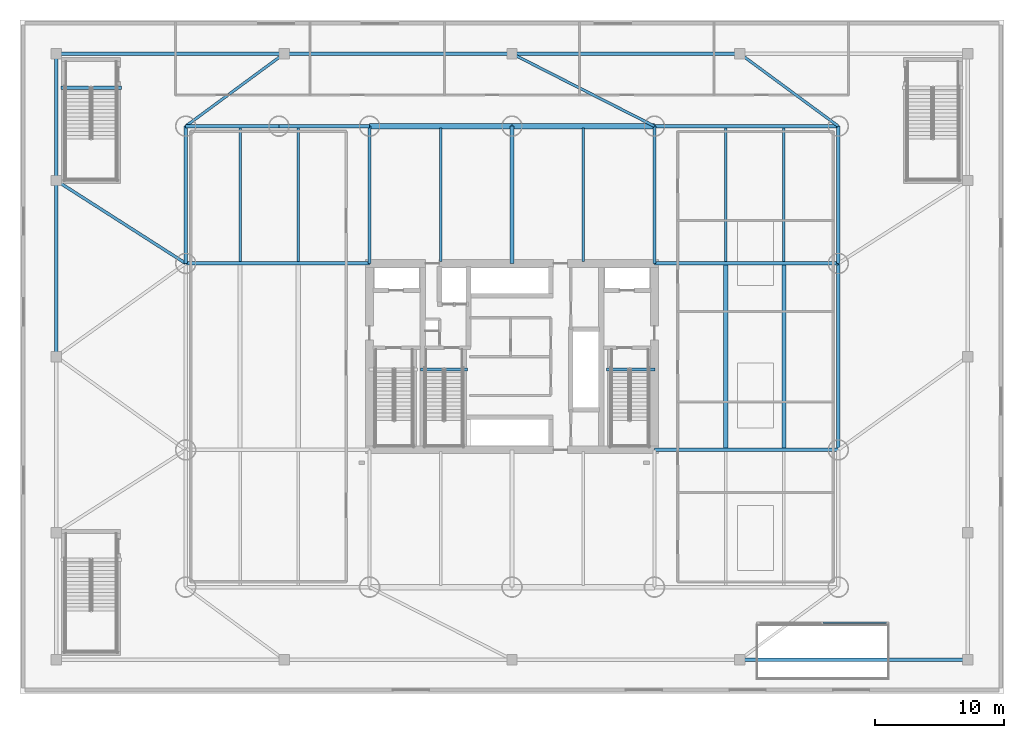
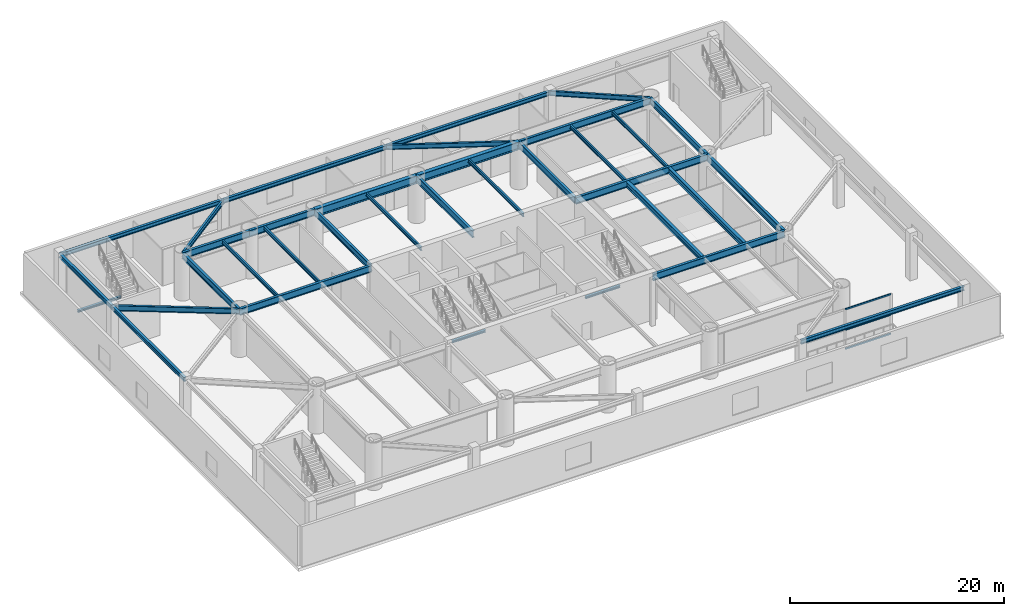
# One storey, part 3 of 16: 35 beams, 3 members, 1 element without a shape of its own.
"""IFC4 building model written with IfcOpenShell, lengths in metres."""

from ifc_helpers import new_model, si_unit, direction, frame, origin, origin_2d, place, context, subcontext, project, spatial, hollow_rectangle, i_section, extrude, material, layer, layer_set, material_profile, profile_set, type_object, element, aggregate, save


model = new_model("IFC4")

# Units and contexts
model_context = context("Model", 3, precision=1e-05, world=origin(), true_north=direction((0.0, 1.0)))
body_context = subcontext(model_context, "Body", "Model", "MODEL_VIEW")
ifc_project = project(units=[si_unit("LENGTHUNIT", "METRE"), si_unit("AREAUNIT", "SQUARE_METRE"), si_unit("VOLUMEUNIT", "CUBIC_METRE"), si_unit("PLANEANGLEUNIT", "RADIAN"), si_unit("MASSUNIT", "GRAM", prefix="KILO")], contexts=[model_context])

# Site, building, storey
site_placement = place(None, origin())
site = spatial("IfcSite", under=ifc_project, at=site_placement, CompositionType="ELEMENT")
building_placement = place(site_placement, origin())
building = spatial("IfcBuilding", under=site, at=building_placement, Name="Bramvorn Convention Spire", CompositionType="ELEMENT")
storey_placement = place(building_placement, frame((0.0, 0.0, 18.60009765625)))
storey = spatial("IfcBuildingStorey", under=building, at=storey_placement, Name="L03", CompositionType="ELEMENT", Elevation=18.60009765625)

# Beams
ifc_material_1 = material(Name="Steel CSA G40.21 Grade 350 (350W)", Category="steel")
ifc_material_profile_1 = material_profile(ifc_material_1, i_section(OverallWidth=0.25390625, OverallDepth=0.2529296875, WebThickness=0.008544921875, FlangeThickness=0.01416015625, FilletRadius=0.011962890625, at=origin_2d()))
ifc_profile_set_1 = profile_set([ifc_material_profile_1], Name="Steel CSA G40.21 Grade 350 (350W) - W250X73")
beam_type_1 = type_object("IfcBeamType", Name="BM-W250X73", PredefinedType="BEAM", material=ifc_profile_set_1)
beam_1_placement = place(storey_placement, frame((45.31005859375, 25.010009765625, -0.126708984375), z_axis=(1.0, 0.0, 0.0), x_axis=(0.0, 1.0, 0.0)))
element("IfcBeam", 1, at=beam_1_placement, inside=storey, type_object=beam_type_1, Name="L03 ST2 stair arrival header beam", PredefinedType="BEAM", context=body_context, shape_type="SweptSolid", body=[
    extrude(i_section(OverallWidth=0.25390625, OverallDepth=0.2529296875, WebThickness=0.008544921875, FlangeThickness=0.01416015625, FilletRadius=0.011962890625, at=origin_2d()), origin(), (0.0, 0.0, 1.0), 3.739990234375),
])
beam_2_placement = place(storey_placement, frame((30.949951171875, 25.010009765625, -0.126708984375), z_axis=(1.0, 0.0, 0.0), x_axis=(0.0, 1.0, 0.0)))
element("IfcBeam", 2, at=beam_2_placement, inside=storey, type_object=beam_type_1, Name="L03 ST3 stair arrival header beam", PredefinedType="BEAM", context=body_context, shape_type="SweptSolid", body=[
    extrude(i_section(OverallWidth=0.25390625, OverallDepth=0.2529296875, WebThickness=0.008544921875, FlangeThickness=0.01416015625, FilletRadius=0.011962890625, at=origin_2d()), origin(), (0.0, 0.0, 1.0), 3.610107421875),
])
beam_3_placement = place(storey_placement, frame((3.14990234375, 46.760009765625, -0.126708984375), z_axis=(1.0, 0.0, 0.0), x_axis=(0.0, 1.0, 0.0)))
element("IfcBeam", 3, at=beam_3_placement, inside=storey, type_object=beam_type_1, Name="L03 ST6 stair arrival header beam", PredefinedType="BEAM", context=body_context, shape_type="SweptSolid", body=[
    extrude(i_section(OverallWidth=0.25390625, OverallDepth=0.2529296875, WebThickness=0.008544921875, FlangeThickness=0.01416015625, FilletRadius=0.011962890625, at=origin_2d()), origin(), (0.0, 0.0, 1.0), 4.68017578125),
])
ifc_material_profile_2 = material_profile(ifc_material_1, i_section(OverallWidth=0.180908203125, OverallDepth=0.4169921875, WebThickness=0.010986328125, FlangeThickness=0.018310546875, FilletRadius=0.01611328125, at=origin_2d()))
ifc_profile_set_2 = profile_set([ifc_material_profile_2], Name="Steel CSA G40.21 Grade 350 (350W) - W410X85")
beam_type_2 = type_object("IfcBeamType", Name="BM-W410X85", PredefinedType="JOIST", material=ifc_profile_set_2)
for number, where, z_axis, x_axis, name in (
    (4, (17.0, 33.340087890625, 4.84130859375), (0.0, 1.0, 0.0), (-1.0, 0.0, 0.0), "L03 side hall joist N-1"),
    (5, (21.5, 33.340087890625, 4.84130859375), (0.0, 1.0, 0.0), (-1.0, 0.0, 0.0), "L03 side hall joist N-2"),
    (6, (32.5, 33.340087890625, 4.84130859375), (0.0, 1.0, 0.0), (-1.0, 0.0, 0.0), "L03 north hall composite joist 3"),
    (7, (43.5, 33.340087890625, 4.84130859375), (0.0, 1.0, 0.0), (-1.0, 0.0, 0.0), "L03 north hall composite joist 4"),
    (8, (54.5, 33.340087890625, 4.84130859375), (0.0, 1.0, 0.0), (-1.0, 0.0, 0.0), "L03 side hall joist N-5"),
    (9, (59.0, 33.340087890625, 4.84130859375), (0.0, 1.0, 0.0), (-1.0, 0.0, 0.0), "L03 side hall joist N-6"),
):
    element("IfcBeam", number, at=place(storey_placement, frame(where, z_axis=z_axis, x_axis=x_axis)), inside=storey, type_object=beam_type_2, Name=name, PredefinedType="JOIST", context=body_context, shape_type="SweptSolid", body=[
        extrude(i_section(OverallWidth=0.180908203125, OverallDepth=0.4169921875, WebThickness=0.010986328125, FlangeThickness=0.018310546875, FilletRadius=0.01611328125, at=origin_2d()), origin(), (0.0, 0.0, 1.0), 10.31982421875),
    ])
ifc_material_profile_3 = material_profile(ifc_material_1, i_section(OverallWidth=0.283935546875, OverallDepth=0.47607421875, WebThickness=0.014892578125, FlangeThickness=0.02392578125, FilletRadius=0.01806640625, at=origin_2d()))
ifc_profile_set_3 = profile_set([ifc_material_profile_3], Name="Steel CSA G40.21 Grade 350 (350W) - W460X158")
beam_type_3 = type_object("IfcBeamType", Name="BM-W460X158", PredefinedType="SPANDREL", material=ifc_profile_set_3)
beam_4_placement = place(storey_placement, frame((55.60009765625, 2.60009765625, 4.81201171875), z_axis=(1.0, 0.0, 0.0), x_axis=(0.0, 1.0, 0.0)))
element("IfcBeam", 10, at=beam_4_placement, inside=storey, type_object=beam_type_3, Name="L03 podium spandrel beam 04", PredefinedType="SPANDREL", context=body_context, shape_type="SweptSolid", body=[
    extrude(i_section(OverallWidth=0.283935546875, OverallDepth=0.47607421875, WebThickness=0.014892578125, FlangeThickness=0.02392578125, FilletRadius=0.01806640625, at=origin_2d()), origin(), (0.0, 0.0, 1.0), 17.599853515625),
])
for number, where, z_axis, x_axis, name in (
    (11, (55.60009765625, 49.39990234375, 4.81201171875), (-1.0, 0.0, 0.0), (0.0, -1.0, 0.0), "L03 podium spandrel beam 10"),
    (12, (38.0, 49.39990234375, 4.81201171875), (-1.0, 0.0, 0.0), (0.0, -1.0, 0.0), "L03 podium spandrel beam 11"),
):
    element("IfcBeam", number, at=place(storey_placement, frame(where, z_axis=z_axis, x_axis=x_axis)), inside=storey, type_object=beam_type_3, Name=name, PredefinedType="SPANDREL", context=body_context, shape_type="SweptSolid", body=[
        extrude(i_section(OverallWidth=0.283935546875, OverallDepth=0.47607421875, WebThickness=0.014892578125, FlangeThickness=0.02392578125, FilletRadius=0.01806640625, at=origin_2d()), origin(), (0.0, 0.0, 1.0), 17.60009765625),
    ])
beam_5_placement = place(storey_placement, frame((20.39990234375, 49.39990234375, 4.81201171875), z_axis=(-1.0, 0.0, 0.0), x_axis=(0.0, -1.0, 0.0)))
element("IfcBeam", 13, at=beam_5_placement, inside=storey, type_object=beam_type_3, Name="L03 podium spandrel beam 12", PredefinedType="SPANDREL", context=body_context, shape_type="SweptSolid", body=[
    extrude(i_section(OverallWidth=0.283935546875, OverallDepth=0.47607421875, WebThickness=0.014892578125, FlangeThickness=0.02392578125, FilletRadius=0.01806640625, at=origin_2d()), origin(), (0.0, 0.0, 1.0), 17.599853515625),
])
beam_6_placement = place(storey_placement, frame((2.800048828125, 49.39990234375, 4.81201171875), z_axis=(0.0, -1.0, 0.0), x_axis=(1.0, 0.0, 0.0)))
element("IfcBeam", 14, at=beam_6_placement, inside=storey, type_object=beam_type_3, Name="L03 podium spandrel beam 13", PredefinedType="SPANDREL", context=body_context, shape_type="SweptSolid", body=[
    extrude(i_section(OverallWidth=0.283935546875, OverallDepth=0.47607421875, WebThickness=0.014892578125, FlangeThickness=0.02392578125, FilletRadius=0.01806640625, at=origin_2d()), origin(), (0.0, 0.0, 1.0), 9.7998046875),
])
beam_7_placement = place(storey_placement, frame((2.800048828125, 39.60009765625, 4.81201171875), z_axis=(0.0, -1.0, 0.0), x_axis=(1.0, 0.0, 0.0)))
element("IfcBeam", 15, at=beam_7_placement, inside=storey, type_object=beam_type_3, Name="L03 podium spandrel beam 14", PredefinedType="SPANDREL", context=body_context, shape_type="SweptSolid", body=[
    extrude(i_section(OverallWidth=0.283935546875, OverallDepth=0.47607421875, WebThickness=0.014892578125, FlangeThickness=0.02392578125, FilletRadius=0.01806640625, at=origin_2d()), origin(), (0.0, 0.0, 1.0), 13.60009765625),
])
ifc_material_profile_4 = material_profile(ifc_material_1, i_section(OverallWidth=0.2119140625, OverallDepth=0.5439453125, WebThickness=0.01318359375, FlangeThickness=0.021240234375, FilletRadius=0.01904296875, at=origin_2d()))
ifc_profile_set_4 = profile_set([ifc_material_profile_4], Name="Steel CSA G40.21 Grade 350 (350W) - W530X123")
beam_type_4 = type_object("IfcBeamType", Name="BM-W530X123", PredefinedType="BEAM", material=ifc_profile_set_4)
beam_8_placement = place(storey_placement, frame((20.39990234375, 49.39990234375, 4.77783203125), z_axis=(-0.805057787445, -0.593196391488, 0.0), x_axis=(0.593196391488, -0.805057787445, 0.0)))
element("IfcBeam", 16, at=beam_8_placement, inside=storey, type_object=beam_type_4, Name="L03 podium primary girder 31", PredefinedType="BEAM", context=body_context, shape_type="SweptSolid", body=[
    extrude(i_section(OverallWidth=0.2119140625, OverallDepth=0.5439453125, WebThickness=0.01318359375, FlangeThickness=0.021240234375, FilletRadius=0.01904296875, at=origin_2d()), origin(), (0.0, 0.0, 1.0), 9.440185546875),
])
beam_9_placement = place(storey_placement, frame((38.0, 49.39990234375, 4.77783203125), z_axis=(0.891167913636, -0.453673615835, 0.0), x_axis=(0.453673615835, 0.891167913636, 0.0)))
element("IfcBeam", 17, at=beam_9_placement, inside=storey, type_object=beam_type_4, Name="L03 podium primary girder 32", PredefinedType="BEAM", context=body_context, shape_type="SweptSolid", body=[
    extrude(i_section(OverallWidth=0.2119140625, OverallDepth=0.5439453125, WebThickness=0.01318359375, FlangeThickness=0.021240234375, FilletRadius=0.01904296875, at=origin_2d()), origin(), (0.0, 0.0, 1.0), 12.34326171875),
])
beam_10_placement = place(storey_placement, frame((55.60009765625, 49.39990234375, 4.77783203125), z_axis=(0.805057787445, -0.593196391488, 0.0), x_axis=(0.593196391488, 0.805057787445, 0.0)))
element("IfcBeam", 18, at=beam_10_placement, inside=storey, type_object=beam_type_4, Name="L03 podium primary girder 33", PredefinedType="BEAM", context=body_context, shape_type="SweptSolid", body=[
    extrude(i_section(OverallWidth=0.2119140625, OverallDepth=0.5439453125, WebThickness=0.01318359375, FlangeThickness=0.021240234375, FilletRadius=0.01904296875, at=origin_2d()), origin(), (0.0, 0.0, 1.0), 9.440185546875),
])
ifc_material_profile_5 = material_profile(ifc_material_1, i_section(OverallWidth=0.22998046875, OverallDepth=0.616943359375, WebThickness=0.01318359375, FlangeThickness=0.022216796875, FilletRadius=0.02001953125, at=origin_2d()))
ifc_profile_set_5 = profile_set([ifc_material_profile_5], Name="Steel CSA G40.21 Grade 350 (350W) - W610X140")
beam_type_5 = type_object("IfcBeamType", Name="BM-W610X140", PredefinedType="BEAM", material=ifc_profile_set_5)
beam_11_placement = place(storey_placement, frame((2.800048828125, 39.60009765625, 4.741455078125), z_axis=(0.842265798855, -0.539062449145, 0.0), x_axis=(0.539062449145, 0.842265798855, 0.0)))
element("IfcBeam", 19, at=beam_11_placement, inside=storey, type_object=beam_type_5, Name="L03 west podium tie girder 2", PredefinedType="BEAM", context=body_context, shape_type="SweptSolid", body=[
    extrude(i_section(OverallWidth=0.22998046875, OverallDepth=0.616943359375, WebThickness=0.01318359375, FlangeThickness=0.022216796875, FilletRadius=0.02001953125, at=origin_2d()), origin(), (0.0, 0.0, 1.0), 11.872802734375),
])
ifc_material_profile_6 = material_profile(ifc_material_1, i_section(OverallWidth=0.327880859375, OverallDepth=0.6279296875, WebThickness=0.0166015625, FlangeThickness=0.027587890625, FilletRadius=0.02001953125, at=origin_2d()))
ifc_profile_set_6 = profile_set([ifc_material_profile_6], Name="Steel CSA G40.21 Grade 350 (350W) - W610X217")
beam_type_6 = type_object("IfcBeamType", Name="BM-W610X217", PredefinedType="BEAM", material=ifc_profile_set_6)
for number, where, z_axis, x_axis, name in (
    (20, (54.5, 18.93994140625, 4.73583984375), (0.0, 1.0, 0.0), (-1.0, 0.0, 0.0), "L03 main exhibition clear-span joist M-5"),
    (21, (59.0, 18.93994140625, 4.73583984375), (0.0, 1.0, 0.0), (-1.0, 0.0, 0.0), "L03 main exhibition clear-span joist M-6"),
):
    element("IfcBeam", number, at=place(storey_placement, frame(where, z_axis=z_axis, x_axis=x_axis)), inside=storey, type_object=beam_type_6, Name=name, PredefinedType="BEAM", context=body_context, shape_type="SweptSolid", body=[
        extrude(i_section(OverallWidth=0.327880859375, OverallDepth=0.6279296875, WebThickness=0.0166015625, FlangeThickness=0.027587890625, FilletRadius=0.02001953125, at=origin_2d()), origin(), (0.0, 0.0, 1.0), 14.1201171875),
    ])
ifc_material_profile_7 = material_profile(ifc_material_1, i_section(OverallWidth=0.256103515625, OverallDepth=0.693115234375, WebThickness=0.014404296875, FlangeThickness=0.023681640625, FilletRadius=0.02197265625, at=origin_2d()))
ifc_profile_set_7 = profile_set([ifc_material_profile_7], Name="Steel CSA G40.21 Grade 350 (350W) - W690X170")
beam_type_7 = type_object("IfcBeamType", Name="BM-W690X170", PredefinedType="BEAM", material=ifc_profile_set_7)
for number, where, z_axis, x_axis, name in (
    (22, (12.800048828125, 33.199951171875, 4.703369140625), (0.0, 1.0, 0.0), (-1.0, 0.0, 0.0), "L03 podium primary girder 14"),
    (23, (63.199951171875, 33.199951171875, 4.703369140625), (0.0, 1.0, 0.0), (-1.0, 0.0, 0.0), "L03 podium primary girder 17"),
    (24, (27.0, 33.199951171875, 4.703369140625), (0.0, 1.0, 0.0), (-1.0, 0.0, 0.0), "L03 podium primary girder 24"),
    (25, (49.0, 33.199951171875, 4.703369140625), (0.0, 1.0, 0.0), (-1.0, 0.0, 0.0), "L03 podium primary girder 25"),
):
    element("IfcBeam", number, at=place(storey_placement, frame(where, z_axis=z_axis, x_axis=x_axis)), inside=storey, type_object=beam_type_7, Name=name, PredefinedType="BEAM", context=body_context, shape_type="SweptSolid", body=[
        extrude(i_section(OverallWidth=0.256103515625, OverallDepth=0.693115234375, WebThickness=0.014404296875, FlangeThickness=0.023681640625, FilletRadius=0.02197265625, at=origin_2d()), origin(), (0.0, 0.0, 1.0), 10.60009765625),
    ])
ifc_material_profile_8 = material_profile(ifc_material_1, i_section(OverallWidth=0.27099609375, OverallDepth=0.76806640625, WebThickness=0.0166015625, FlangeThickness=0.02685546875, FilletRadius=0.02197265625, at=origin_2d()))
ifc_profile_set_8 = profile_set([ifc_material_profile_8], Name="Steel CSA G40.21 Grade 350 (350W) - W760X220")
beam_type_8 = type_object("IfcBeamType", Name="BM-W760X220", PredefinedType="BEAM", material=ifc_profile_set_8)
beam_12_placement = place(storey_placement, frame((12.800048828125, 43.800048828125, 4.666015625), z_axis=(1.0, 0.0, 0.0), x_axis=(0.0, 1.0, 0.0)))
element("IfcBeam", 26, at=beam_12_placement, inside=storey, type_object=beam_type_8, Name="L03 podium primary girder 05", PredefinedType="BEAM", context=body_context, shape_type="SweptSolid", body=[
    extrude(i_section(OverallWidth=0.27099609375, OverallDepth=0.76806640625, WebThickness=0.0166015625, FlangeThickness=0.02685546875, FilletRadius=0.02197265625, at=origin_2d()), origin(), (0.0, 0.0, 1.0), 7.199951171875),
])
beam_13_placement = place(storey_placement, frame((20.0, 43.800048828125, 4.666015625), z_axis=(1.0, 0.0, 0.0), x_axis=(0.0, 1.0, 0.0)))
element("IfcBeam", 27, at=beam_13_placement, inside=storey, type_object=beam_type_8, Name="L03 podium primary girder 06", PredefinedType="BEAM", context=body_context, shape_type="SweptSolid", body=[
    extrude(i_section(OverallWidth=0.27099609375, OverallDepth=0.76806640625, WebThickness=0.0166015625, FlangeThickness=0.02685546875, FilletRadius=0.02197265625, at=origin_2d()), origin(), (0.0, 0.0, 1.0), 7.0),
])
beam_14_placement = place(storey_placement, frame((38.0, 33.199951171875, 4.666015625), z_axis=(0.0, 1.0, 0.0), x_axis=(-1.0, 0.0, 0.0)))
element("IfcBeam", 28, at=beam_14_placement, inside=storey, type_object=beam_type_8, Name="L03 podium primary girder 10", PredefinedType="BEAM", context=body_context, shape_type="SweptSolid", body=[
    extrude(i_section(OverallWidth=0.27099609375, OverallDepth=0.76806640625, WebThickness=0.0166015625, FlangeThickness=0.02685546875, FilletRadius=0.02197265625, at=origin_2d()), origin(), (0.0, 0.0, 1.0), 10.60009765625),
])
beam_15_placement = place(storey_placement, frame((49.0, 43.800048828125, 4.666015625), z_axis=(1.0, 0.0, 0.0), x_axis=(0.0, 1.0, 0.0)))
element("IfcBeam", 29, at=beam_15_placement, inside=storey, type_object=beam_type_8, Name="L03 podium primary girder 11", PredefinedType="BEAM", context=body_context, shape_type="SweptSolid", body=[
    extrude(i_section(OverallWidth=0.27099609375, OverallDepth=0.76806640625, WebThickness=0.0166015625, FlangeThickness=0.02685546875, FilletRadius=0.02197265625, at=origin_2d()), origin(), (0.0, 0.0, 1.0), 14.199951171875),
])
beam_16_placement = place(storey_placement, frame((63.199951171875, 18.800048828125, 4.666015625), z_axis=(0.0, 1.0, 0.0), x_axis=(-1.0, 0.0, 0.0)))
element("IfcBeam", 30, at=beam_16_placement, inside=storey, type_object=beam_type_8, Name="L03 podium primary girder 16", PredefinedType="BEAM", context=body_context, shape_type="SweptSolid", body=[
    extrude(i_section(OverallWidth=0.27099609375, OverallDepth=0.76806640625, WebThickness=0.0166015625, FlangeThickness=0.02685546875, FilletRadius=0.02197265625, at=origin_2d()), origin(), (0.0, 0.0, 1.0), 14.39990234375),
])
for number, where, z_axis, x_axis, name in (
    (31, (49.0, 18.800048828125, 4.666015625), (1.0, 0.0, 0.0), (0.0, 1.0, 0.0), "L03 podium primary girder 19"),
    (32, (12.800048828125, 33.199951171875, 4.666015625), (1.0, 0.0, 0.0), (0.0, 1.0, 0.0), "L03 podium primary girder 20"),
    (33, (49.0, 33.199951171875, 4.666015625), (1.0, 0.0, 0.0), (0.0, 1.0, 0.0), "L03 podium primary girder 21"),
):
    element("IfcBeam", number, at=place(storey_placement, frame(where, z_axis=z_axis, x_axis=x_axis)), inside=storey, type_object=beam_type_8, Name=name, PredefinedType="BEAM", context=body_context, shape_type="SweptSolid", body=[
        extrude(i_section(OverallWidth=0.27099609375, OverallDepth=0.76806640625, WebThickness=0.0166015625, FlangeThickness=0.02685546875, FilletRadius=0.02197265625, at=origin_2d()), origin(), (0.0, 0.0, 1.0), 14.199951171875),
    ])
ifc_material_profile_9 = material_profile(ifc_material_1, i_section(OverallWidth=0.41796875, OverallDepth=0.912109375, WebThickness=0.019287109375, FlangeThickness=0.031982421875, FilletRadius=0.02392578125, at=origin_2d()))
ifc_profile_set_9 = profile_set([ifc_material_profile_9], Name="Steel CSA G40.21 Grade 350 (350W) - W920X342")
beam_type_9 = type_object("IfcBeamType", Name="BM-W920X342", PredefinedType="BEAM", material=ifc_profile_set_9)
for number, where, z_axis, x_axis, name in (
    (34, (27.0, 43.800048828125, 4.593994140625), (1.0, 0.0, 0.0), (0.0, 1.0, 0.0), "L03 podium primary girder 07"),
    (35, (38.0, 43.800048828125, 4.593994140625), (1.0, 0.0, 0.0), (0.0, 1.0, 0.0), "L03 podium primary girder 08"),
):
    element("IfcBeam", number, at=place(storey_placement, frame(where, z_axis=z_axis, x_axis=x_axis)), inside=storey, type_object=beam_type_9, Name=name, PredefinedType="BEAM", context=body_context, shape_type="SweptSolid", body=[
        extrude(i_section(OverallWidth=0.41796875, OverallDepth=0.912109375, WebThickness=0.019287109375, FlangeThickness=0.031982421875, FilletRadius=0.02392578125, at=origin_2d()), origin(), (0.0, 0.0, 1.0), 11.0),
    ])

# Curtain wall, members
ifc_material_2 = material(Name="Anodised Bronze Unitised Curtain Wall", Category="aluminium")
ifc_layer = layer(ifc_material_2, 0.219970703125)
ifc_layer_set = layer_set([ifc_layer], Name="Anodised Bronze Unitised Curtain Wall - CW-POD-LANCET")
curtain_wall_type = type_object("IfcCurtainWallType", Name="CW-POD-LANCET", PredefinedType="USERDEFINED", material=ifc_layer_set)
curtain_wall_placement = place(storey_placement, origin())
curtain_wall = element("IfcCurtainWall", 36, at=curtain_wall_placement, inside=storey, type_object=curtain_wall_type, Name="L03 SE colonnade lancet curtain wall", ObjectType="UNITISED CURTAIN WALL", PredefinedType="USERDEFINED")
ifc_material_3 = material(Name="Anodised Bronze Aluminium 6063-T6", Category="aluminium")
ifc_material_profile_10 = material_profile(ifc_material_3, hollow_rectangle(XDim=0.090087890625, YDim=0.179931640625, WallThickness=0.00439453125, InnerFilletRadius=0.0009765625, OuterFilletRadius=0.00439453125, at=origin_2d()))
ifc_profile_set_10 = profile_set([ifc_material_profile_10], Name="Anodised Bronze Aluminium 6063-T6 - CWT90X180")
member_type = type_object("IfcMemberType", Name="CW-TRN-180", PredefinedType="USERDEFINED", material=ifc_profile_set_10)
member_1_placement = place(storey_placement, frame((62.030029296875, 5.449951171875, 0.02978515625), z_axis=(1.0, 0.0, 0.0), x_axis=(0.0, 1.0, 0.0)))
member_1 = element("IfcMember", 37, at=member_1_placement, type_object=member_type, Name="CW1 transom 2.1", ObjectType="TRANSOM", PredefinedType="USERDEFINED", context=body_context, shape_type="SweptSolid", body=[
    extrude(hollow_rectangle(XDim=0.090087890625, YDim=0.179931640625, WallThickness=0.00439453125, InnerFilletRadius=0.0009765625, OuterFilletRadius=0.00439453125, at=origin_2d()), origin(), (0.0, 0.0, 1.0), 4.909912109375),
])
member_2_placement = place(storey_placement, frame((62.030029296875, 5.449951171875, 2.199951171875), z_axis=(1.0, 0.0, 0.0), x_axis=(0.0, 1.0, 0.0)))
member_2 = element("IfcMember", 38, at=member_2_placement, type_object=member_type, Name="CW1 transom 2.2", ObjectType="TRANSOM", PredefinedType="USERDEFINED", context=body_context, shape_type="SweptSolid", body=[
    extrude(hollow_rectangle(XDim=0.090087890625, YDim=0.179931640625, WallThickness=0.00439453125, InnerFilletRadius=0.0009765625, OuterFilletRadius=0.00439453125, at=origin_2d()), origin(), (0.0, 0.0, 1.0), 4.909912109375),
])
member_3_placement = place(storey_placement, frame((62.030029296875, 5.449951171875, 4.52978515625), z_axis=(1.0, 0.0, 0.0), x_axis=(0.0, 1.0, 0.0)))
member_3 = element("IfcMember", 39, at=member_3_placement, type_object=member_type, Name="CW1 transom 2.3", ObjectType="TRANSOM", PredefinedType="USERDEFINED", context=body_context, shape_type="SweptSolid", body=[
    extrude(hollow_rectangle(XDim=0.090087890625, YDim=0.179931640625, WallThickness=0.00439453125, InnerFilletRadius=0.0009765625, OuterFilletRadius=0.00439453125, at=origin_2d()), origin(), (0.0, 0.0, 1.0), 4.909912109375),
])
aggregate(curtain_wall, [member_1, member_2, member_3])

save(model, "model.ifc")
